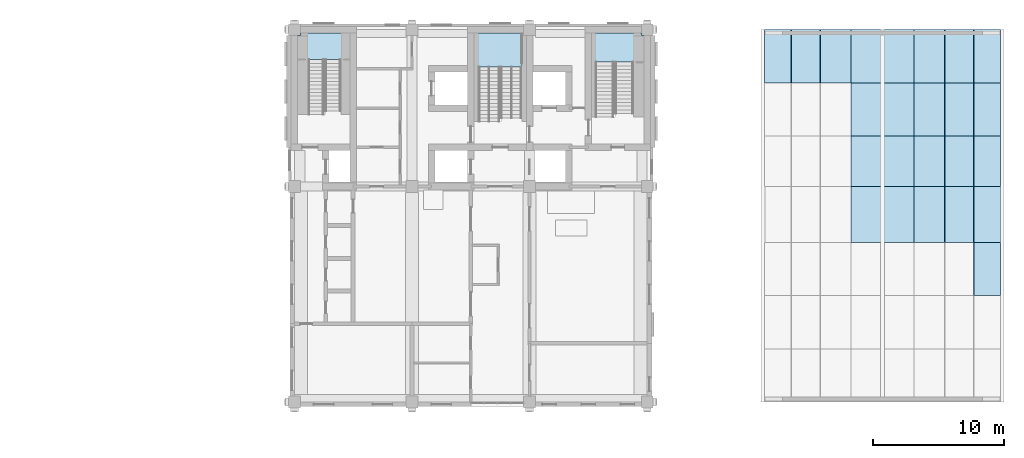
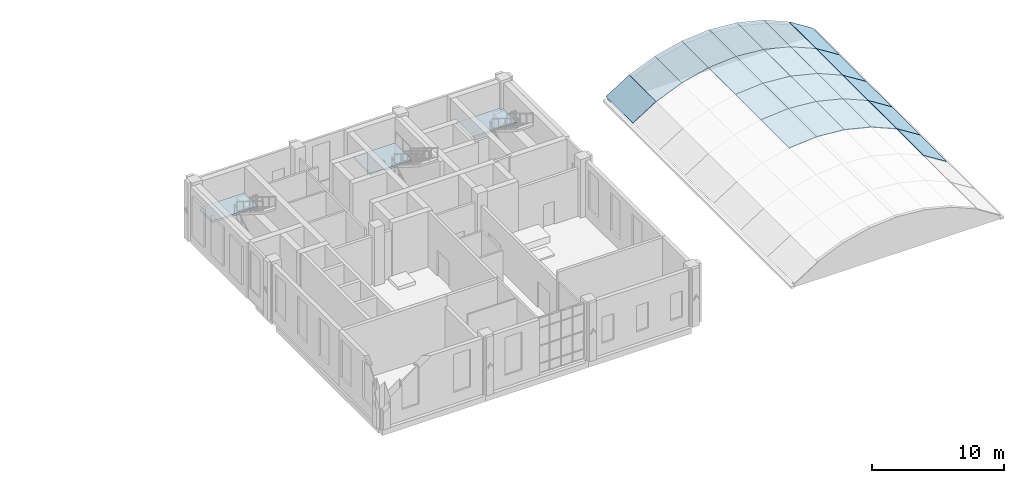
# One storey, part 12 of 25: 27 slabs, 3 elements without a shape of their own.
"""IFC4 building model written with IfcOpenShell, lengths in metres."""

from ifc_helpers import new_model, si_unit, direction, frame, origin, place, context, subcontext, project, spatial, polyline, outline, extrude, material, layer, layer_set, type_object, element, aggregate, save


model = new_model("IFC4")

# Units and contexts
model_context = context("Model", 3, precision=1e-05, world=origin(), true_north=direction((0.0, 1.0)))
body_context = subcontext(model_context, "Body", "Model", "MODEL_VIEW")
ifc_project = project(units=[si_unit("LENGTHUNIT", "METRE"), si_unit("AREAUNIT", "SQUARE_METRE"), si_unit("VOLUMEUNIT", "CUBIC_METRE"), si_unit("PLANEANGLEUNIT", "RADIAN"), si_unit("MASSUNIT", "GRAM", prefix="KILO")], contexts=[model_context])

# Site, building, storey
site_placement = place(None, origin())
site = spatial("IfcSite", under=ifc_project, at=site_placement, CompositionType="ELEMENT")
building_placement = place(site_placement, origin())
building = spatial("IfcBuilding", under=site, at=building_placement, Name="Aurelan Courthouse", CompositionType="ELEMENT")
storey_placement = place(building_placement, frame((0.0, 0.0, 33.60009765625)))
storey = spatial("IfcBuildingStorey", under=building, at=storey_placement, Name="L06", CompositionType="ELEMENT", Elevation=33.60009765625)

# Stair, slab
ifc_material_1 = material(Name="Concrete C30", Category="concrete")
stair_type_1 = type_object("IfcStairType", Name="Half-turn stair 1200 wide 31 risers", PredefinedType="HALF_TURN_STAIR", material=ifc_material_1)
stair_1_placement = place(storey_placement, origin())
stair_1 = element("IfcStair", 1, at=stair_1_placement, inside=storey, type_object=stair_type_1, Name="Stair CS-2-L06", PredefinedType="HALF_TURN_STAIR")
ifc_layer_1 = layer(ifc_material_1, 0.199951171875)
ifc_layer_set_1 = layer_set([ifc_layer_1], Name="Concrete C30")
slab_type_1 = type_object("IfcSlabType", Name="Stair half landing 200 thick", PredefinedType="LANDING", material=ifc_layer_set_1)
slab_1_placement = place(storey_placement, frame((0.0, 0.0, 2.5869140625)))
slab_1 = element("IfcSlab", 2, at=slab_1_placement, type_object=slab_type_1, Name="Stair CS-2-L06 half landing", PredefinedType="LANDING", context=body_context, shape_type="SweptSolid", body=[
    extrude(outline(polyline([(36.25, 65.550048828125), (36.449951171875, 65.550048828125), (36.449951171875, 65.75), (40.25, 65.75), (40.25, 63.7099609375), (36.25, 63.7099609375), (36.25, 65.550048828125)])), origin(), (0.0, 0.0, 1.0), 0.2001953125),
])
aggregate(stair_1, [slab_1])

stair_type_2 = type_object("IfcStairType", Name="Half-turn stair 1600 wide 31 risers", PredefinedType="HALF_TURN_STAIR", material=ifc_material_1)
stair_2_placement = place(storey_placement, origin())
stair_2 = element("IfcStair", 3, at=stair_2_placement, inside=storey, type_object=stair_type_2, Name="Stair ST-2A-L06", PredefinedType="HALF_TURN_STAIR")
slab_2_placement = place(storey_placement, frame((0.0, 0.0, 2.5869140625)))
slab_2 = element("IfcSlab", 4, at=slab_2_placement, type_object=slab_type_1, Name="Stair ST-2A-L06 half landing", PredefinedType="LANDING", context=body_context, shape_type="SweptSolid", body=[
    extrude(outline(polyline([(49.75, 63.159912109375), (49.75, 65.75), (53.39990234375, 65.75), (53.39990234375, 63.159912109375), (49.75, 63.159912109375)])), origin(), (0.0, 0.0, 1.0), 0.2001953125),
])
aggregate(stair_2, [slab_2])

stair_type_3 = type_object("IfcStairType", Name="Half-turn stair 1400 wide 31 risers", PredefinedType="HALF_TURN_STAIR", material=ifc_material_1)
stair_3_placement = place(storey_placement, origin())
stair_3 = element("IfcStair", 5, at=stair_3_placement, inside=storey, type_object=stair_type_3, Name="Stair ST-2E-L06", PredefinedType="HALF_TURN_STAIR")
slab_3_placement = place(storey_placement, frame((0.0, 0.0, 2.5869140625)))
slab_3 = element("IfcSlab", 6, at=slab_3_placement, type_object=slab_type_1, Name="Stair ST-2E-L06 half landing", PredefinedType="LANDING", context=body_context, shape_type="SweptSolid", body=[
    extrude(outline(polyline([(58.75, 65.75), (62.550048828125, 65.75), (62.550048828125, 65.550048828125), (62.75, 65.550048828125), (62.75, 63.510009765625), (58.75, 63.510009765625), (58.75, 65.75)])), origin(), (0.0, 0.0, 1.0), 0.2001953125),
])
aggregate(stair_3, [slab_3])

# Slabs
ifc_material_2 = material(Name="Zinc standing-seam cladding")
ifc_layer_2 = layer(ifc_material_2, 0.06005859375)
ifc_layer_set_2 = layer_set([ifc_layer_2], Name="Zinc standing-seam cladding")
slab_type_2 = type_object("IfcSlabType", Name="Vault facet 60", PredefinedType="ROOF", material=ifc_layer_set_2)
slab_4_placement = place(storey_placement, frame((87.99365234375, 45.642822265625, 1.695556640625), z_axis=(0.533844372986, 0.0, 0.845582749015), x_axis=(0.845582749015, 0.0, -0.533844372986)))
element("IfcSlab", 7, at=slab_4_placement, inside=storey, type_object=slab_type_2, Name="Vault facet VF-024", PredefinedType="ROOF", context=body_context, shape_type="SweptSolid", body=[
    extrude(outline(polyline([(0.0, 0.0), (2.410562515022602, 0.0), (2.410562515022602, 4.071533203125), (0.0, 4.071533203125), (0.0, 0.0)])), origin(), (0.0, 0.0, -1.0), 0.06005859375),
])
for number, where, z_axis, x_axis, name in (
    (8, (78.59228515625, 49.71435546875, 3.22412109375), (-0.0804134027, 0.0, 0.996761598712), (0.996761598712, 0.0, 0.0804134027), "Vault facet VF-028"),
    (9, (81.0048828125, 49.71435546875, 3.41796875), (0.0804134027, 0.0, 0.996761598712), (0.996761598712, 0.0, -0.0804134027), "Vault facet VF-029"),
):
    element("IfcSlab", number, at=place(storey_placement, frame(where, z_axis=z_axis, x_axis=x_axis)), inside=storey, type_object=slab_type_2, Name=name, PredefinedType="ROOF", context=body_context, shape_type="SweptSolid", body=[
        extrude(outline(polyline([(0.0, 0.0), (2.4106386465487977, 0.0), (2.4106386465487977, 4.28564453125), (0.0, 4.28564453125), (0.0, 0.0)])), origin(), (0.0, 0.0, -1.0), 0.06005859375),
    ])
slab_5_placement = place(storey_placement, frame((83.4169921875, 49.71435546875, 3.22265625), z_axis=(0.239007294678, 0.0, 0.971017771769), x_axis=(0.971017771769, 0.0, -0.239007294678)))
element("IfcSlab", 10, at=slab_5_placement, inside=storey, type_object=slab_type_2, Name="Vault facet VF-030", PredefinedType="ROOF", context=body_context, shape_type="SweptSolid", body=[
    extrude(outline(polyline([(0.0, 0.0), (2.4106874050680265, 0.0), (2.4106874050680265, 4.285644531249999), (0.0, 4.285644531249999), (0.0, 0.0)])), origin(), (0.0, 0.0, -1.0), 0.06005859375),
])
slab_6_placement = place(storey_placement, frame((85.766845703125, 49.71435546875, 2.6435546875), z_axis=(0.391436570582, 0.0, 0.920205091929), x_axis=(0.920205091929, 0.0, -0.391436570582)))
element("IfcSlab", 11, at=slab_6_placement, inside=storey, type_object=slab_type_2, Name="Vault facet VF-031", PredefinedType="ROOF", context=body_context, shape_type="SweptSolid", body=[
    extrude(outline(polyline([(0.0, 0.0), (2.410616652969021, 0.0), (2.410616652969021, 4.28564453125), (0.0, 4.28564453125), (0.0, 0.0)])), origin(), (0.0, 0.0, -1.0), 0.06005859375),
])
slab_7_placement = place(storey_placement, frame((87.99365234375, 49.71435546875, 1.695556640625), z_axis=(0.533844372986, 0.0, 0.845582749015), x_axis=(0.845582749015, 0.0, -0.533844372986)))
element("IfcSlab", 12, at=slab_7_placement, inside=storey, type_object=slab_type_2, Name="Vault facet VF-032", PredefinedType="ROOF", context=body_context, shape_type="SweptSolid", body=[
    extrude(outline(polyline([(0.0, 0.0), (2.410562515022602, 0.0), (2.410562515022602, 4.28564453125), (0.0, 4.28564453125), (0.0, 0.0)])), origin(), (0.0, 0.0, -1.0), 0.06005859375),
])
for number, where, z_axis, x_axis, name in (
    (13, (78.59228515625, 54.0, 3.22412109375), (-0.0804134027, 0.0, 0.996761598712), (0.996761598712, 0.0, 0.0804134027), "Vault facet VF-036"),
    (14, (81.0048828125, 54.0, 3.41796875), (0.0804134027, 0.0, 0.996761598712), (0.996761598712, 0.0, -0.0804134027), "Vault facet VF-037"),
):
    element("IfcSlab", number, at=place(storey_placement, frame(where, z_axis=z_axis, x_axis=x_axis)), inside=storey, type_object=slab_type_2, Name=name, PredefinedType="ROOF", context=body_context, shape_type="SweptSolid", body=[
        extrude(outline(polyline([(0.0, 0.0), (2.4106386465487977, 0.0), (2.4106386465487977, 3.857177734375), (0.0, 3.857177734375), (0.0, 0.0)])), origin(), (0.0, 0.0, -1.0), 0.06005859375),
    ])
slab_8_placement = place(storey_placement, frame((83.4169921875, 54.0, 3.22265625), z_axis=(0.239007294678, 0.0, 0.971017771769), x_axis=(0.971017771769, 0.0, -0.239007294678)))
element("IfcSlab", 15, at=slab_8_placement, inside=storey, type_object=slab_type_2, Name="Vault facet VF-038", PredefinedType="ROOF", context=body_context, shape_type="SweptSolid", body=[
    extrude(outline(polyline([(0.0, 0.0), (2.4106874050680265, 0.0), (2.4106874050680265, 3.857177734375), (0.0, 3.857177734375), (0.0, 0.0)])), origin(), (0.0, 0.0, -1.0), 0.06005859375),
])
slab_9_placement = place(storey_placement, frame((85.766845703125, 54.0, 2.6435546875), z_axis=(0.391436570582, 0.0, 0.920205091929), x_axis=(0.920205091929, 0.0, -0.391436570582)))
element("IfcSlab", 16, at=slab_9_placement, inside=storey, type_object=slab_type_2, Name="Vault facet VF-039", PredefinedType="ROOF", context=body_context, shape_type="SweptSolid", body=[
    extrude(outline(polyline([(0.0, 0.0), (2.410616652969021, 0.0), (2.410616652969021, 3.857177734375), (0.0, 3.857177734375), (0.0, 0.0)])), origin(), (0.0, 0.0, -1.0), 0.06005859375),
])
slab_10_placement = place(storey_placement, frame((87.99365234375, 54.0, 1.695556640625), z_axis=(0.533844372986, 0.0, 0.845582749015), x_axis=(0.845582749015, 0.0, -0.533844372986)))
element("IfcSlab", 17, at=slab_10_placement, inside=storey, type_object=slab_type_2, Name="Vault facet VF-040", PredefinedType="ROOF", context=body_context, shape_type="SweptSolid", body=[
    extrude(outline(polyline([(0.0, 0.0), (2.410562515022602, 0.0), (2.410562515022602, 3.857177734375), (0.0, 3.857177734375), (0.0, 0.0)])), origin(), (0.0, 0.0, -1.0), 0.06005859375),
])
for number, where, z_axis, x_axis, name in (
    (18, (78.59228515625, 57.857177734375, 3.22412109375), (-0.0804134027, 0.0, 0.996761598712), (0.996761598712, 0.0, 0.0804134027), "Vault facet VF-044"),
    (19, (81.0048828125, 57.857177734375, 3.41796875), (0.0804134027, 0.0, 0.996761598712), (0.996761598712, 0.0, -0.0804134027), "Vault facet VF-045"),
):
    element("IfcSlab", number, at=place(storey_placement, frame(where, z_axis=z_axis, x_axis=x_axis)), inside=storey, type_object=slab_type_2, Name=name, PredefinedType="ROOF", context=body_context, shape_type="SweptSolid", body=[
        extrude(outline(polyline([(0.0, 0.0), (2.4106386465487977, 0.0), (2.4106386465487977, 4.071533203125), (0.0, 4.071533203125), (0.0, 0.0)])), origin(), (0.0, 0.0, -1.0), 0.06005859375),
    ])
slab_11_placement = place(storey_placement, frame((83.4169921875, 57.857177734375, 3.22265625), z_axis=(0.239007294678, 0.0, 0.971017771769), x_axis=(0.971017771769, 0.0, -0.239007294678)))
element("IfcSlab", 20, at=slab_11_placement, inside=storey, type_object=slab_type_2, Name="Vault facet VF-046", PredefinedType="ROOF", context=body_context, shape_type="SweptSolid", body=[
    extrude(outline(polyline([(0.0, 0.0), (2.4106874050680265, 0.0), (2.4106874050680265, 4.071533203124999), (0.0, 4.071533203124999), (0.0, 0.0)])), origin(), (0.0, 0.0, -1.0), 0.06005859375),
])
slab_12_placement = place(storey_placement, frame((85.766845703125, 57.857177734375, 2.6435546875), z_axis=(0.391436570582, 0.0, 0.920205091929), x_axis=(0.920205091929, 0.0, -0.391436570582)))
element("IfcSlab", 21, at=slab_12_placement, inside=storey, type_object=slab_type_2, Name="Vault facet VF-047", PredefinedType="ROOF", context=body_context, shape_type="SweptSolid", body=[
    extrude(outline(polyline([(0.0, 0.0), (2.4106166529690207, 0.0), (2.4106166529690207, 4.071533203125), (0.0, 4.071533203125), (0.0, 0.0)])), origin(), (0.0, 0.0, -1.0), 0.06005859375),
])
slab_13_placement = place(storey_placement, frame((87.99365234375, 57.857177734375, 1.695556640625), z_axis=(0.533844372986, 0.0, 0.845582749015), x_axis=(0.845582749015, 0.0, -0.533844372986)))
element("IfcSlab", 22, at=slab_13_placement, inside=storey, type_object=slab_type_2, Name="Vault facet VF-048", PredefinedType="ROOF", context=body_context, shape_type="SweptSolid", body=[
    extrude(outline(polyline([(0.0, 0.0), (2.410562515022602, 0.0), (2.410562515022602, 4.071533203125), (0.0, 4.071533203125), (0.0, 0.0)])), origin(), (0.0, 0.0, -1.0), 0.06005859375),
])
slab_14_placement = place(storey_placement, frame((71.968017578125, 61.9287109375, 0.40869140625), z_axis=(-0.533844372986, 0.0, 0.845582749015), x_axis=(0.845582749015, 0.0, 0.533844372986)))
element("IfcSlab", 23, at=slab_14_placement, inside=storey, type_object=slab_type_2, Name="Vault facet VF-049", PredefinedType="ROOF", context=body_context, shape_type="SweptSolid", body=[
    extrude(outline(polyline([(0.0, 0.0), (2.410562515022602, 0.0), (2.410562515022602, 4.0712890625), (0.0, 4.0712890625), (0.0, 0.0)])), origin(), (0.0, 0.0, -1.0), 0.06005859375),
])
slab_15_placement = place(storey_placement, frame((74.014892578125, 61.9287109375, 1.699951171875), z_axis=(-0.391436570582, 0.0, 0.920205091929), x_axis=(0.920205091929, 0.0, 0.391436570582)))
element("IfcSlab", 24, at=slab_15_placement, inside=storey, type_object=slab_type_2, Name="Vault facet VF-050", PredefinedType="ROOF", context=body_context, shape_type="SweptSolid", body=[
    extrude(outline(polyline([(0.0, 0.0), (2.4106166529690207, 0.0), (2.4106166529690207, 4.0712890625), (0.0, 4.0712890625), (0.0, 0.0)])), origin(), (0.0, 0.0, -1.0), 0.06005859375),
])
slab_16_placement = place(storey_placement, frame((76.2421875, 61.9287109375, 2.646484375), z_axis=(-0.239007294678, 0.0, 0.971017771769), x_axis=(0.971017771769, 0.0, 0.239007294678)))
element("IfcSlab", 25, at=slab_16_placement, inside=storey, type_object=slab_type_2, Name="Vault facet VF-051", PredefinedType="ROOF", context=body_context, shape_type="SweptSolid", body=[
    extrude(outline(polyline([(0.0, 0.0), (2.4106874050680265, 0.0), (2.4106874050680265, 4.0712890625), (0.0, 4.0712890625), (0.0, 0.0)])), origin(), (0.0, 0.0, -1.0), 0.06005859375),
])
for number, where, z_axis, x_axis, name in (
    (26, (78.59228515625, 61.9287109375, 3.22412109375), (-0.0804134027, 0.0, 0.996761598712), (0.996761598712, 0.0, 0.0804134027), "Vault facet VF-052"),
    (27, (81.0048828125, 61.9287109375, 3.41796875), (0.0804134027, 0.0, 0.996761598712), (0.996761598712, 0.0, -0.0804134027), "Vault facet VF-053"),
):
    element("IfcSlab", number, at=place(storey_placement, frame(where, z_axis=z_axis, x_axis=x_axis)), inside=storey, type_object=slab_type_2, Name=name, PredefinedType="ROOF", context=body_context, shape_type="SweptSolid", body=[
        extrude(outline(polyline([(0.0, 0.0), (2.4106386465487977, 0.0), (2.4106386465487977, 4.0712890625), (0.0, 4.0712890625), (0.0, 0.0)])), origin(), (0.0, 0.0, -1.0), 0.06005859375),
    ])
slab_17_placement = place(storey_placement, frame((83.4169921875, 61.9287109375, 3.22265625), z_axis=(0.239007294678, 0.0, 0.971017771769), x_axis=(0.971017771769, 0.0, -0.239007294678)))
element("IfcSlab", 28, at=slab_17_placement, inside=storey, type_object=slab_type_2, Name="Vault facet VF-054", PredefinedType="ROOF", context=body_context, shape_type="SweptSolid", body=[
    extrude(outline(polyline([(0.0, 0.0), (2.4106874050680265, 0.0), (2.4106874050680265, 4.0712890625), (0.0, 4.0712890625), (0.0, 0.0)])), origin(), (0.0, 0.0, -1.0), 0.06005859375),
])
slab_18_placement = place(storey_placement, frame((85.766845703125, 61.9287109375, 2.6435546875), z_axis=(0.391436570582, 0.0, 0.920205091929), x_axis=(0.920205091929, 0.0, -0.391436570582)))
element("IfcSlab", 29, at=slab_18_placement, inside=storey, type_object=slab_type_2, Name="Vault facet VF-055", PredefinedType="ROOF", context=body_context, shape_type="SweptSolid", body=[
    extrude(outline(polyline([(0.0, 0.0), (2.4106166529690207, 0.0), (2.4106166529690207, 4.0712890625), (0.0, 4.0712890625), (0.0, 0.0)])), origin(), (0.0, 0.0, -1.0), 0.06005859375),
])
slab_19_placement = place(storey_placement, frame((87.99365234375, 61.9287109375, 1.695556640625), z_axis=(0.533844372986, 0.0, 0.845582749015), x_axis=(0.845582749015, 0.0, -0.533844372986)))
element("IfcSlab", 30, at=slab_19_placement, inside=storey, type_object=slab_type_2, Name="Vault facet VF-056", PredefinedType="ROOF", context=body_context, shape_type="SweptSolid", body=[
    extrude(outline(polyline([(0.0, 0.0), (2.410562515022602, 0.0), (2.410562515022602, 4.0712890625), (0.0, 4.0712890625), (0.0, 0.0)])), origin(), (0.0, 0.0, -1.0), 0.06005859375),
])

save(model, "model.ifc")
